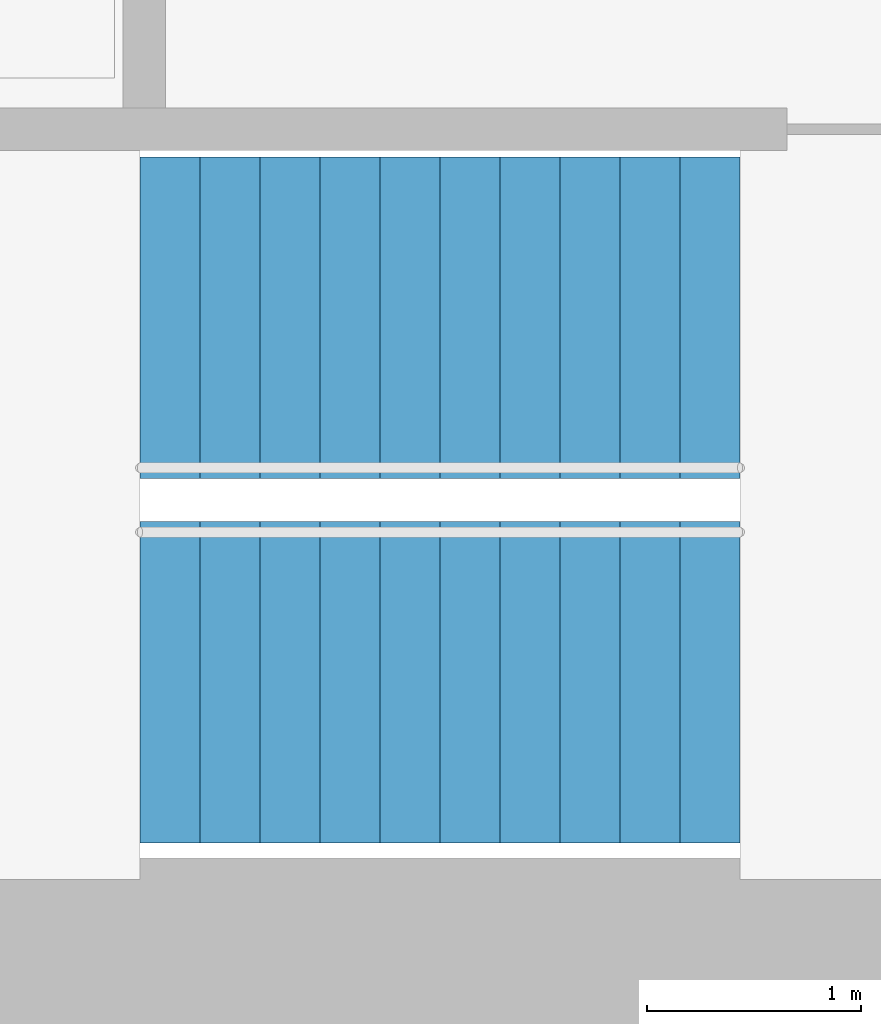
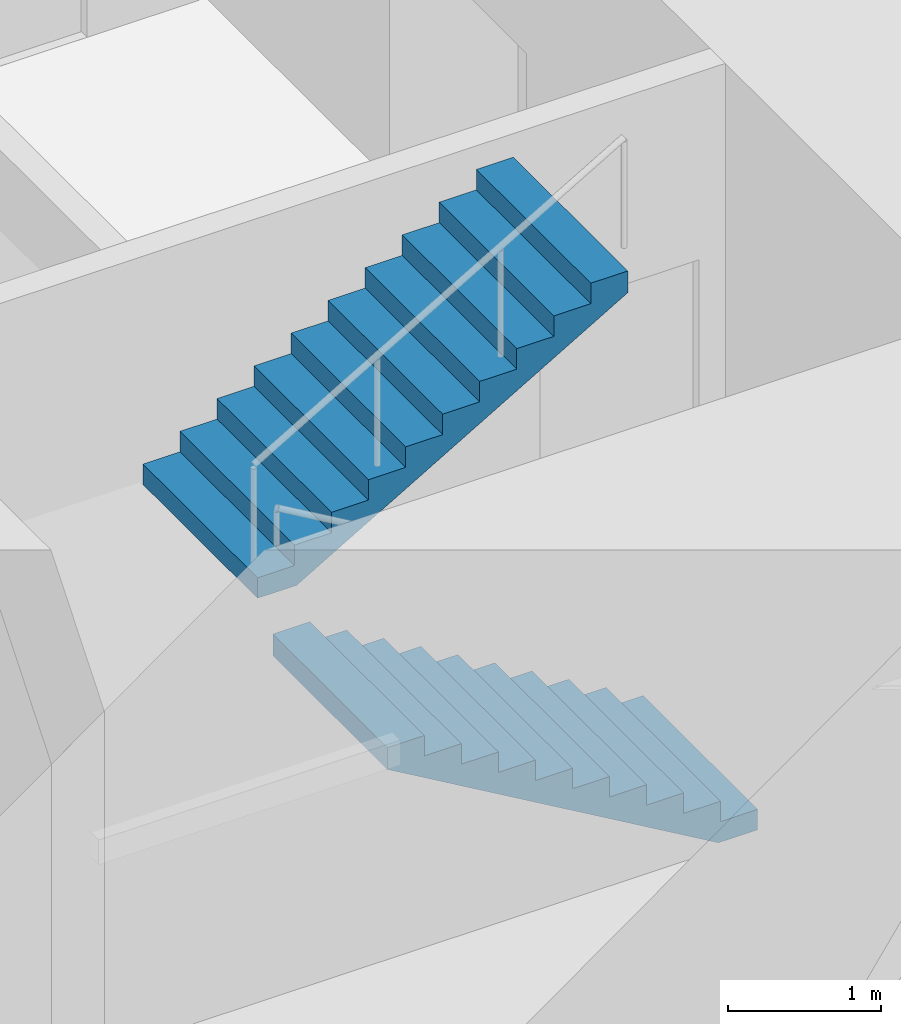
# One storey, part 14 of 15: 2 stair flights, 1 element without a shape of its own.
"""IFC4 building model written with IfcOpenShell, lengths in metres."""

from ifc_helpers import new_model, si_unit, direction, frame, origin, place, context, subcontext, project, spatial, triangles, material, type_object, element, aggregate, save


model = new_model("IFC4")

# Units and contexts
model_context = context("Model", 3, precision=1e-05, world=origin(), true_north=direction((0.0, 1.0)))
body_context = subcontext(model_context, "Body", "Model", "MODEL_VIEW")
ifc_project = project(units=[si_unit("LENGTHUNIT", "METRE"), si_unit("AREAUNIT", "SQUARE_METRE"), si_unit("VOLUMEUNIT", "CUBIC_METRE"), si_unit("PLANEANGLEUNIT", "RADIAN"), si_unit("MASSUNIT", "GRAM", prefix="KILO")], contexts=[model_context])

# Site, building, storey
site_placement = place(None, origin())
site = spatial("IfcSite", under=ifc_project, at=site_placement, CompositionType="ELEMENT")
building_placement = place(site_placement, origin())
building = spatial("IfcBuilding", under=site, at=building_placement, Name="Lantaw Convention Tower", CompositionType="ELEMENT")
storey_placement = place(building_placement, frame((0.0, 0.0, 55.0)))
storey = spatial("IfcBuildingStorey", under=building, at=storey_placement, Name="L11", CompositionType="ELEMENT", Elevation=55.0)

# Stair, stair flights
ifc_material = material(Name="Concrete C35/45", Category="concrete")
stair_type = type_object("IfcStairType", Name="Exit stair 1500 riser 163.64 in 2 flights", PredefinedType="HALF_TURN_STAIR", material=ifc_material)
stair_placement = place(storey_placement, origin())
stair = element("IfcStair", 1, at=stair_placement, inside=storey, type_object=stair_type, Name="Exit stair S2 L11", PredefinedType="HALF_TURN_STAIR")
stair_flight_type = type_object("IfcStairFlightType", Name="Stair flight 1500 riser 163.64", PredefinedType="STRAIGHT", material=ifc_material)
stair_flight_1_placement = place(storey_placement, frame((10.580078125, -5.97998046875, 0.0), z_axis=(0.0, 0.0, 1.0), x_axis=(-1.0, 0.0, 0.0)))
stair_flight_1 = element("IfcStairFlight", 2, at=stair_flight_1_placement, type_object=stair_flight_type, Name="S2 flight 1", NumberOfRisers=11, NumberOfTreads=10, PredefinedType="STRAIGHT", RiserHeight=0.163636364, TreadLength=0.28, context=body_context, shape_type="Tessellation", body=[
    triangles([(0.0, 0.75, 0.0), (0.0, 0.75, 0.163636364), (0.28, 0.75, 0.0), (0.28, 0.75, 0.163636364), (0.28, 0.75, 0.327272728), (0.2970904571225277, 0.75, 0.0), (0.2970904571225277, 0.75, 0.327272728), (0.56, 0.75, 0.1536484344906131), (0.56, 0.75, 0.327272728), (0.56, 0.75, 0.490909092), (0.8400000000000001, 0.75, 0.3172847984906131), (0.8400000000000001, 0.75, 0.490909092), (0.8400000000000001, 0.75, 0.654545456), (1.12, 0.75, 0.4809211624906131), (1.12, 0.75, 0.654545456), (1.12, 0.75, 0.8181818200000001), (1.4000000000000001, 0.75, 0.6445575264906132), (1.4000000000000001, 0.75, 0.8181818200000001), (1.4000000000000001, 0.75, 0.981818184), (1.6800000000000002, 0.75, 0.8081938904906131), (1.6800000000000002, 0.75, 0.981818184), (1.6800000000000002, 0.75, 1.145454548), (1.9600000000000002, 0.75, 0.9718302544906131), (1.9600000000000002, 0.75, 1.145454548), (1.9600000000000002, 0.75, 1.309090912), (2.24, 0.75, 1.135466618490613), (2.24, 0.75, 1.309090912), (2.24, 0.75, 1.472727276), (2.5200000000000005, 0.75, 1.2991029824906133), (2.5200000000000005, 0.75, 1.472727276), (2.5200000000000005, 0.75, 1.6363636400000001), (2.8000000000000003, 0.75, 1.462739346490613), (2.8000000000000003, 0.75, 1.6363636400000001), (0.0, -0.75, 0.0), (0.0, -0.75, 0.163636364), (0.28, -0.75, 0.0), (0.28, -0.75, 0.163636364), (0.28, -0.75, 0.327272728), (0.2970904571225277, -0.75, 0.0), (0.2970904571225277, -0.75, 0.327272728), (0.56, -0.75, 0.1536484344906131), (0.56, -0.75, 0.327272728), (0.56, -0.75, 0.490909092), (0.8400000000000001, -0.75, 0.3172847984906131), (0.8400000000000001, -0.75, 0.490909092), (0.8400000000000001, -0.75, 0.654545456), (1.12, -0.75, 0.4809211624906131), (1.12, -0.75, 0.654545456), (1.12, -0.75, 0.8181818200000001), (1.4000000000000001, -0.75, 0.6445575264906132), (1.4000000000000001, -0.75, 0.8181818200000001), (1.4000000000000001, -0.75, 0.981818184), (1.6800000000000002, -0.75, 0.8081938904906131), (1.6800000000000002, -0.75, 0.981818184), (1.6800000000000002, -0.75, 1.145454548), (1.9600000000000002, -0.75, 0.9718302544906131), (1.9600000000000002, -0.75, 1.145454548), (1.9600000000000002, -0.75, 1.309090912), (2.24, -0.75, 1.135466618490613), (2.24, -0.75, 1.309090912), (2.24, -0.75, 1.472727276), (2.5200000000000005, -0.75, 1.2991029824906133), (2.5200000000000005, -0.75, 1.472727276), (2.5200000000000005, -0.75, 1.6363636400000001), (2.8000000000000003, -0.75, 1.462739346490613), (2.8000000000000003, -0.75, 1.6363636400000001), (0.0, 0.15000000000000002, 0.163636364), (0.0, 0.15000000000000002, 0.0), (0.0, 0.0, 0.163636364), (0.0, 0.0, 0.0), (0.0, -0.15000000000000002, 0.163636364), (0.0, -0.15000000000000002, 0.0), (0.28, 0.15000000000000002, 0.327272728), (0.28, 0.15000000000000002, 0.163636364), (0.28, 0.0, 0.327272728), (0.28, 0.0, 0.163636364), (0.28, -0.15000000000000002, 0.327272728), (0.28, -0.15000000000000002, 0.163636364), (0.56, 0.15000000000000002, 0.490909092), (0.56, 0.15000000000000002, 0.327272728), (0.56, 0.0, 0.490909092), (0.56, 0.0, 0.327272728), (0.56, -0.15000000000000002, 0.490909092), (0.56, -0.15000000000000002, 0.327272728), (0.8400000000000001, 0.15000000000000002, 0.654545456), (0.8400000000000001, 0.15000000000000002, 0.490909092), (0.8400000000000001, 0.0, 0.654545456), (0.8400000000000001, 0.0, 0.490909092), (0.8400000000000001, -0.15000000000000002, 0.654545456), (0.8400000000000001, -0.15000000000000002, 0.490909092), (1.12, 0.15000000000000002, 0.8181818200000001), (1.12, 0.15000000000000002, 0.654545456), (1.12, 0.0, 0.8181818200000001), (1.12, 0.0, 0.654545456), (1.12, -0.15000000000000002, 0.8181818200000001), (1.12, -0.15000000000000002, 0.654545456), (1.4000000000000001, 0.15000000000000002, 0.981818184), (1.4000000000000001, 0.15000000000000002, 0.8181818200000001), (1.4000000000000001, 0.0, 0.981818184), (1.4000000000000001, 0.0, 0.8181818200000001), (1.4000000000000001, -0.15000000000000002, 0.981818184), (1.4000000000000001, -0.15000000000000002, 0.8181818200000001), (1.6800000000000002, 0.15000000000000002, 1.145454548), (1.6800000000000002, 0.15000000000000002, 0.981818184), (1.6800000000000002, 0.0, 1.145454548), (1.6800000000000002, 0.0, 0.981818184), (1.6800000000000002, -0.15000000000000002, 1.145454548), (1.6800000000000002, -0.15000000000000002, 0.981818184), (1.9600000000000002, 0.15000000000000002, 1.309090912), (1.9600000000000002, 0.15000000000000002, 1.145454548), (1.9600000000000002, 0.0, 1.309090912), (1.9600000000000002, 0.0, 1.145454548), (1.9600000000000002, -0.15000000000000002, 1.309090912), (1.9600000000000002, -0.15000000000000002, 1.145454548), (2.24, 0.15000000000000002, 1.472727276), (2.24, 0.15000000000000002, 1.309090912), (2.24, 0.0, 1.472727276), (2.24, 0.0, 1.309090912), (2.24, -0.15000000000000002, 1.472727276), (2.24, -0.15000000000000002, 1.309090912), (2.5200000000000005, 0.15000000000000002, 1.6363636400000001), (2.5200000000000005, 0.15000000000000002, 1.472727276), (2.5200000000000005, 0.0, 1.6363636400000001), (2.5200000000000005, 0.0, 1.472727276), (2.5200000000000005, -0.15000000000000002, 1.6363636400000001), (2.5200000000000005, -0.15000000000000002, 1.472727276), (0.2970904571225277, 0.15000000000000002, 0.327272728), (0.2970904571225277, 0.0, 0.327272728), (0.2970904571225277, -0.15000000000000002, 0.327272728), (2.8000000000000003, 0.15000000000000002, 1.6363636400000001), (2.8000000000000003, 0.0, 1.6363636400000001), (2.8000000000000003, -0.15000000000000002, 1.6363636400000001), (2.8000000000000003, 0.15000000000000002, 1.462739346490613), (2.8000000000000003, 0.0, 1.462739346490613), (2.8000000000000003, -0.15000000000000002, 1.462739346490613), (2.5200000000000005, 0.15000000000000002, 1.2991029824906133), (2.5200000000000005, 0.0, 1.2991029824906133), (2.5200000000000005, -0.15000000000000002, 1.2991029824906133), (2.24, 0.15000000000000002, 1.135466618490613), (2.24, 0.0, 1.135466618490613), (2.24, -0.15000000000000002, 1.135466618490613), (1.9600000000000002, 0.15000000000000002, 0.9718302544906131), (1.9600000000000002, 0.0, 0.9718302544906131), (1.9600000000000002, -0.15000000000000002, 0.9718302544906131), (1.6800000000000002, 0.15000000000000002, 0.8081938904906131), (1.6800000000000002, 0.0, 0.8081938904906131), (1.6800000000000002, -0.15000000000000002, 0.8081938904906131), (1.4000000000000001, 0.15000000000000002, 0.6445575264906132), (1.4000000000000001, 0.0, 0.6445575264906132), (1.4000000000000001, -0.15000000000000002, 0.6445575264906132), (1.12, 0.15000000000000002, 0.4809211624906131), (1.12, 0.0, 0.4809211624906131), (1.12, -0.15000000000000002, 0.4809211624906131), (0.8400000000000001, 0.15000000000000002, 0.3172847984906131), (0.8400000000000001, 0.0, 0.3172847984906131), (0.8400000000000001, -0.15000000000000002, 0.3172847984906131), (0.56, 0.15000000000000002, 0.1536484344906131), (0.56, 0.0, 0.1536484344906131), (0.56, -0.15000000000000002, 0.1536484344906131), (0.2970904571225277, 0.15000000000000002, 0.0), (0.2970904571225277, 0.0, 0.0), (0.2970904571225277, -0.15000000000000002, 0.0), (0.28, 0.15000000000000002, 0.0), (0.28, 0.0, 0.0), (0.28, -0.15000000000000002, 0.0)], [[1, 4, 3], [1, 2, 4], [3, 4, 6], [4, 7, 6], [4, 5, 7], [6, 9, 8], [6, 7, 9], [8, 9, 11], [9, 12, 11], [9, 10, 12], [11, 12, 14], [12, 15, 14], [12, 13, 15], [14, 15, 17], [15, 18, 17], [15, 16, 18], [17, 18, 20], [18, 21, 20], [18, 19, 21], [20, 21, 23], [21, 24, 23], [21, 22, 24], [23, 24, 26], [24, 27, 26], [24, 25, 27], [26, 27, 29], [27, 30, 29], [27, 28, 30], [29, 30, 32], [30, 33, 32], [30, 31, 33], [34, 36, 37], [34, 37, 35], [36, 39, 37], [37, 39, 40], [37, 40, 38], [39, 41, 42], [39, 42, 40], [41, 44, 42], [42, 44, 45], [42, 45, 43], [44, 47, 45], [45, 47, 48], [45, 48, 46], [47, 50, 48], [48, 50, 51], [48, 51, 49], [50, 53, 51], [51, 53, 54], [51, 54, 52], [53, 56, 54], [54, 56, 57], [54, 57, 55], [56, 59, 57], [57, 59, 60], [57, 60, 58], [59, 62, 60], [60, 62, 63], [60, 63, 61], [62, 65, 63], [63, 65, 66], [63, 66, 64], [1, 67, 2], [1, 68, 67], [68, 69, 67], [68, 70, 69], [70, 71, 69], [70, 72, 71], [72, 35, 71], [72, 34, 35], [4, 73, 5], [4, 74, 73], [74, 75, 73], [74, 76, 75], [76, 77, 75], [76, 78, 77], [78, 38, 77], [78, 37, 38], [9, 79, 10], [9, 80, 79], [80, 81, 79], [80, 82, 81], [82, 83, 81], [82, 84, 83], [84, 43, 83], [84, 42, 43], [12, 85, 13], [12, 86, 85], [86, 87, 85], [86, 88, 87], [88, 89, 87], [88, 90, 89], [90, 46, 89], [90, 45, 46], [15, 91, 16], [15, 92, 91], [92, 93, 91], [92, 94, 93], [94, 95, 93], [94, 96, 95], [96, 49, 95], [96, 48, 49], [18, 97, 19], [18, 98, 97], [98, 99, 97], [98, 100, 99], [100, 101, 99], [100, 102, 101], [102, 52, 101], [102, 51, 52], [21, 103, 22], [21, 104, 103], [104, 105, 103], [104, 106, 105], [106, 107, 105], [106, 108, 107], [108, 55, 107], [108, 54, 55], [24, 109, 25], [24, 110, 109], [110, 111, 109], [110, 112, 111], [112, 113, 111], [112, 114, 113], [114, 58, 113], [114, 57, 58], [27, 115, 28], [27, 116, 115], [116, 117, 115], [116, 118, 117], [118, 119, 117], [118, 120, 119], [120, 61, 119], [120, 60, 61], [30, 121, 31], [30, 122, 121], [122, 123, 121], [122, 124, 123], [124, 125, 123], [124, 126, 125], [126, 64, 125], [126, 63, 64], [2, 74, 4], [2, 67, 74], [67, 76, 74], [67, 69, 76], [69, 78, 76], [69, 71, 78], [71, 37, 78], [71, 35, 37], [5, 127, 7], [5, 73, 127], [73, 128, 127], [73, 75, 128], [75, 129, 128], [75, 77, 129], [77, 40, 129], [77, 38, 40], [7, 80, 9], [7, 127, 80], [127, 82, 80], [127, 128, 82], [128, 84, 82], [128, 129, 84], [129, 42, 84], [129, 40, 42], [10, 86, 12], [10, 79, 86], [79, 88, 86], [79, 81, 88], [81, 90, 88], [81, 83, 90], [83, 45, 90], [83, 43, 45], [13, 92, 15], [13, 85, 92], [85, 94, 92], [85, 87, 94], [87, 96, 94], [87, 89, 96], [89, 48, 96], [89, 46, 48], [16, 98, 18], [16, 91, 98], [91, 100, 98], [91, 93, 100], [93, 102, 100], [93, 95, 102], [95, 51, 102], [95, 49, 51], [19, 104, 21], [19, 97, 104], [97, 106, 104], [97, 99, 106], [99, 108, 106], [99, 101, 108], [101, 54, 108], [101, 52, 54], [22, 110, 24], [22, 103, 110], [103, 112, 110], [103, 105, 112], [105, 114, 112], [105, 107, 114], [107, 57, 114], [107, 55, 57], [25, 116, 27], [25, 109, 116], [109, 118, 116], [109, 111, 118], [111, 120, 118], [111, 113, 120], [113, 60, 120], [113, 58, 60], [28, 122, 30], [28, 115, 122], [115, 124, 122], [115, 117, 124], [117, 126, 124], [117, 119, 126], [119, 63, 126], [119, 61, 63], [31, 130, 33], [31, 121, 130], [121, 131, 130], [121, 123, 131], [123, 132, 131], [123, 125, 132], [125, 66, 132], [125, 64, 66], [33, 133, 32], [33, 130, 133], [130, 134, 133], [130, 131, 134], [131, 135, 134], [131, 132, 135], [132, 65, 135], [132, 66, 65], [32, 136, 29], [32, 133, 136], [133, 137, 136], [133, 134, 137], [134, 138, 137], [134, 135, 138], [135, 62, 138], [135, 65, 62], [29, 139, 26], [29, 136, 139], [136, 140, 139], [136, 137, 140], [137, 141, 140], [137, 138, 141], [138, 59, 141], [138, 62, 59], [26, 142, 23], [26, 139, 142], [139, 143, 142], [139, 140, 143], [140, 144, 143], [140, 141, 144], [141, 56, 144], [141, 59, 56], [23, 145, 20], [23, 142, 145], [142, 146, 145], [142, 143, 146], [143, 147, 146], [143, 144, 147], [144, 53, 147], [144, 56, 53], [20, 148, 17], [20, 145, 148], [145, 149, 148], [145, 146, 149], [146, 150, 149], [146, 147, 150], [147, 50, 150], [147, 53, 50], [17, 151, 14], [17, 148, 151], [148, 152, 151], [148, 149, 152], [149, 153, 152], [149, 150, 153], [150, 47, 153], [150, 50, 47], [14, 154, 11], [14, 151, 154], [151, 155, 154], [151, 152, 155], [152, 156, 155], [152, 153, 156], [153, 44, 156], [153, 47, 44], [11, 157, 8], [11, 154, 157], [154, 158, 157], [154, 155, 158], [155, 159, 158], [155, 156, 159], [156, 41, 159], [156, 44, 41], [8, 160, 6], [8, 157, 160], [157, 161, 160], [157, 158, 161], [158, 162, 161], [158, 159, 162], [159, 39, 162], [159, 41, 39], [6, 163, 3], [6, 160, 163], [160, 164, 163], [160, 161, 164], [161, 165, 164], [161, 162, 165], [162, 36, 165], [162, 39, 36], [3, 68, 1], [3, 163, 68], [163, 70, 68], [163, 164, 70], [164, 72, 70], [164, 165, 72], [165, 34, 72], [165, 36, 34]], closed=True),
])
stair_flight_2_placement = place(storey_placement, frame((7.780029296875, -4.280029296875, 1.800048828125), z_axis=(0.0, 0.0, 1.0), x_axis=(1.0, 0.0, 0.0)))
stair_flight_2 = element("IfcStairFlight", 3, at=stair_flight_2_placement, type_object=stair_flight_type, Name="S2 flight 2", NumberOfRisers=11, NumberOfTreads=10, PredefinedType="STRAIGHT", RiserHeight=0.163636364, TreadLength=0.28, context=body_context, shape_type="Tessellation", body=[
    triangles([(0.0, 0.75, 0.0), (0.0, 0.75, 0.163636364), (0.28, 0.75, 0.0), (0.28, 0.75, 0.163636364), (0.28, 0.75, 0.327272728), (0.2970904571225277, 0.75, 0.0), (0.2970904571225277, 0.75, 0.327272728), (0.56, 0.75, 0.1536484344906131), (0.56, 0.75, 0.327272728), (0.56, 0.75, 0.490909092), (0.8400000000000001, 0.75, 0.3172847984906131), (0.8400000000000001, 0.75, 0.490909092), (0.8400000000000001, 0.75, 0.654545456), (1.12, 0.75, 0.4809211624906131), (1.12, 0.75, 0.654545456), (1.12, 0.75, 0.8181818200000001), (1.4000000000000001, 0.75, 0.6445575264906132), (1.4000000000000001, 0.75, 0.8181818200000001), (1.4000000000000001, 0.75, 0.981818184), (1.6800000000000002, 0.75, 0.8081938904906131), (1.6800000000000002, 0.75, 0.981818184), (1.6800000000000002, 0.75, 1.145454548), (1.9600000000000002, 0.75, 0.9718302544906131), (1.9600000000000002, 0.75, 1.145454548), (1.9600000000000002, 0.75, 1.309090912), (2.24, 0.75, 1.135466618490613), (2.24, 0.75, 1.309090912), (2.24, 0.75, 1.472727276), (2.5200000000000005, 0.75, 1.2991029824906133), (2.5200000000000005, 0.75, 1.472727276), (2.5200000000000005, 0.75, 1.6363636400000001), (2.8000000000000003, 0.75, 1.462739346490613), (2.8000000000000003, 0.75, 1.6363636400000001), (0.0, -0.75, 0.0), (0.0, -0.75, 0.163636364), (0.28, -0.75, 0.0), (0.28, -0.75, 0.163636364), (0.28, -0.75, 0.327272728), (0.2970904571225277, -0.75, 0.0), (0.2970904571225277, -0.75, 0.327272728), (0.56, -0.75, 0.1536484344906131), (0.56, -0.75, 0.327272728), (0.56, -0.75, 0.490909092), (0.8400000000000001, -0.75, 0.3172847984906131), (0.8400000000000001, -0.75, 0.490909092), (0.8400000000000001, -0.75, 0.654545456), (1.12, -0.75, 0.4809211624906131), (1.12, -0.75, 0.654545456), (1.12, -0.75, 0.8181818200000001), (1.4000000000000001, -0.75, 0.6445575264906132), (1.4000000000000001, -0.75, 0.8181818200000001), (1.4000000000000001, -0.75, 0.981818184), (1.6800000000000002, -0.75, 0.8081938904906131), (1.6800000000000002, -0.75, 0.981818184), (1.6800000000000002, -0.75, 1.145454548), (1.9600000000000002, -0.75, 0.9718302544906131), (1.9600000000000002, -0.75, 1.145454548), (1.9600000000000002, -0.75, 1.309090912), (2.24, -0.75, 1.135466618490613), (2.24, -0.75, 1.309090912), (2.24, -0.75, 1.472727276), (2.5200000000000005, -0.75, 1.2991029824906133), (2.5200000000000005, -0.75, 1.472727276), (2.5200000000000005, -0.75, 1.6363636400000001), (2.8000000000000003, -0.75, 1.462739346490613), (2.8000000000000003, -0.75, 1.6363636400000001), (0.0, 0.15000000000000002, 0.163636364), (0.0, 0.15000000000000002, 0.0), (0.0, 0.0, 0.163636364), (0.0, 0.0, 0.0), (0.0, -0.15000000000000002, 0.163636364), (0.0, -0.15000000000000002, 0.0), (0.28, 0.15000000000000002, 0.327272728), (0.28, 0.15000000000000002, 0.163636364), (0.28, 0.0, 0.327272728), (0.28, 0.0, 0.163636364), (0.28, -0.15000000000000002, 0.327272728), (0.28, -0.15000000000000002, 0.163636364), (0.56, 0.15000000000000002, 0.490909092), (0.56, 0.15000000000000002, 0.327272728), (0.56, 0.0, 0.490909092), (0.56, 0.0, 0.327272728), (0.56, -0.15000000000000002, 0.490909092), (0.56, -0.15000000000000002, 0.327272728), (0.8400000000000001, 0.15000000000000002, 0.654545456), (0.8400000000000001, 0.15000000000000002, 0.490909092), (0.8400000000000001, 0.0, 0.654545456), (0.8400000000000001, 0.0, 0.490909092), (0.8400000000000001, -0.15000000000000002, 0.654545456), (0.8400000000000001, -0.15000000000000002, 0.490909092), (1.12, 0.15000000000000002, 0.8181818200000001), (1.12, 0.15000000000000002, 0.654545456), (1.12, 0.0, 0.8181818200000001), (1.12, 0.0, 0.654545456), (1.12, -0.15000000000000002, 0.8181818200000001), (1.12, -0.15000000000000002, 0.654545456), (1.4000000000000001, 0.15000000000000002, 0.981818184), (1.4000000000000001, 0.15000000000000002, 0.8181818200000001), (1.4000000000000001, 0.0, 0.981818184), (1.4000000000000001, 0.0, 0.8181818200000001), (1.4000000000000001, -0.15000000000000002, 0.981818184), (1.4000000000000001, -0.15000000000000002, 0.8181818200000001), (1.6800000000000002, 0.15000000000000002, 1.145454548), (1.6800000000000002, 0.15000000000000002, 0.981818184), (1.6800000000000002, 0.0, 1.145454548), (1.6800000000000002, 0.0, 0.981818184), (1.6800000000000002, -0.15000000000000002, 1.145454548), (1.6800000000000002, -0.15000000000000002, 0.981818184), (1.9600000000000002, 0.15000000000000002, 1.309090912), (1.9600000000000002, 0.15000000000000002, 1.145454548), (1.9600000000000002, 0.0, 1.309090912), (1.9600000000000002, 0.0, 1.145454548), (1.9600000000000002, -0.15000000000000002, 1.309090912), (1.9600000000000002, -0.15000000000000002, 1.145454548), (2.24, 0.15000000000000002, 1.472727276), (2.24, 0.15000000000000002, 1.309090912), (2.24, 0.0, 1.472727276), (2.24, 0.0, 1.309090912), (2.24, -0.15000000000000002, 1.472727276), (2.24, -0.15000000000000002, 1.309090912), (2.5200000000000005, 0.15000000000000002, 1.6363636400000001), (2.5200000000000005, 0.15000000000000002, 1.472727276), (2.5200000000000005, 0.0, 1.6363636400000001), (2.5200000000000005, 0.0, 1.472727276), (2.5200000000000005, -0.15000000000000002, 1.6363636400000001), (2.5200000000000005, -0.15000000000000002, 1.472727276), (0.2970904571225277, 0.15000000000000002, 0.327272728), (0.2970904571225277, 0.0, 0.327272728), (0.2970904571225277, -0.15000000000000002, 0.327272728), (2.8000000000000003, 0.15000000000000002, 1.6363636400000001), (2.8000000000000003, 0.0, 1.6363636400000001), (2.8000000000000003, -0.15000000000000002, 1.6363636400000001), (2.8000000000000003, 0.15000000000000002, 1.462739346490613), (2.8000000000000003, 0.0, 1.462739346490613), (2.8000000000000003, -0.15000000000000002, 1.462739346490613), (2.5200000000000005, 0.15000000000000002, 1.2991029824906133), (2.5200000000000005, 0.0, 1.2991029824906133), (2.5200000000000005, -0.15000000000000002, 1.2991029824906133), (2.24, 0.15000000000000002, 1.135466618490613), (2.24, 0.0, 1.135466618490613), (2.24, -0.15000000000000002, 1.135466618490613), (1.9600000000000002, 0.15000000000000002, 0.9718302544906131), (1.9600000000000002, 0.0, 0.9718302544906131), (1.9600000000000002, -0.15000000000000002, 0.9718302544906131), (1.6800000000000002, 0.15000000000000002, 0.8081938904906131), (1.6800000000000002, 0.0, 0.8081938904906131), (1.6800000000000002, -0.15000000000000002, 0.8081938904906131), (1.4000000000000001, 0.15000000000000002, 0.6445575264906132), (1.4000000000000001, 0.0, 0.6445575264906132), (1.4000000000000001, -0.15000000000000002, 0.6445575264906132), (1.12, 0.15000000000000002, 0.4809211624906131), (1.12, 0.0, 0.4809211624906131), (1.12, -0.15000000000000002, 0.4809211624906131), (0.8400000000000001, 0.15000000000000002, 0.3172847984906131), (0.8400000000000001, 0.0, 0.3172847984906131), (0.8400000000000001, -0.15000000000000002, 0.3172847984906131), (0.56, 0.15000000000000002, 0.1536484344906131), (0.56, 0.0, 0.1536484344906131), (0.56, -0.15000000000000002, 0.1536484344906131), (0.2970904571225277, 0.15000000000000002, 0.0), (0.2970904571225277, 0.0, 0.0), (0.2970904571225277, -0.15000000000000002, 0.0), (0.28, 0.15000000000000002, 0.0), (0.28, 0.0, 0.0), (0.28, -0.15000000000000002, 0.0)], [[1, 4, 3], [1, 2, 4], [3, 4, 6], [4, 7, 6], [4, 5, 7], [6, 9, 8], [6, 7, 9], [8, 9, 11], [9, 12, 11], [9, 10, 12], [11, 12, 14], [12, 15, 14], [12, 13, 15], [14, 15, 17], [15, 18, 17], [15, 16, 18], [17, 18, 20], [18, 21, 20], [18, 19, 21], [20, 21, 23], [21, 24, 23], [21, 22, 24], [23, 24, 26], [24, 27, 26], [24, 25, 27], [26, 27, 29], [27, 30, 29], [27, 28, 30], [29, 30, 32], [30, 33, 32], [30, 31, 33], [34, 36, 37], [34, 37, 35], [36, 39, 37], [37, 39, 40], [37, 40, 38], [39, 41, 42], [39, 42, 40], [41, 44, 42], [42, 44, 45], [42, 45, 43], [44, 47, 45], [45, 47, 48], [45, 48, 46], [47, 50, 48], [48, 50, 51], [48, 51, 49], [50, 53, 51], [51, 53, 54], [51, 54, 52], [53, 56, 54], [54, 56, 57], [54, 57, 55], [56, 59, 57], [57, 59, 60], [57, 60, 58], [59, 62, 60], [60, 62, 63], [60, 63, 61], [62, 65, 63], [63, 65, 66], [63, 66, 64], [1, 67, 2], [1, 68, 67], [68, 69, 67], [68, 70, 69], [70, 71, 69], [70, 72, 71], [72, 35, 71], [72, 34, 35], [4, 73, 5], [4, 74, 73], [74, 75, 73], [74, 76, 75], [76, 77, 75], [76, 78, 77], [78, 38, 77], [78, 37, 38], [9, 79, 10], [9, 80, 79], [80, 81, 79], [80, 82, 81], [82, 83, 81], [82, 84, 83], [84, 43, 83], [84, 42, 43], [12, 85, 13], [12, 86, 85], [86, 87, 85], [86, 88, 87], [88, 89, 87], [88, 90, 89], [90, 46, 89], [90, 45, 46], [15, 91, 16], [15, 92, 91], [92, 93, 91], [92, 94, 93], [94, 95, 93], [94, 96, 95], [96, 49, 95], [96, 48, 49], [18, 97, 19], [18, 98, 97], [98, 99, 97], [98, 100, 99], [100, 101, 99], [100, 102, 101], [102, 52, 101], [102, 51, 52], [21, 103, 22], [21, 104, 103], [104, 105, 103], [104, 106, 105], [106, 107, 105], [106, 108, 107], [108, 55, 107], [108, 54, 55], [24, 109, 25], [24, 110, 109], [110, 111, 109], [110, 112, 111], [112, 113, 111], [112, 114, 113], [114, 58, 113], [114, 57, 58], [27, 115, 28], [27, 116, 115], [116, 117, 115], [116, 118, 117], [118, 119, 117], [118, 120, 119], [120, 61, 119], [120, 60, 61], [30, 121, 31], [30, 122, 121], [122, 123, 121], [122, 124, 123], [124, 125, 123], [124, 126, 125], [126, 64, 125], [126, 63, 64], [2, 74, 4], [2, 67, 74], [67, 76, 74], [67, 69, 76], [69, 78, 76], [69, 71, 78], [71, 37, 78], [71, 35, 37], [5, 127, 7], [5, 73, 127], [73, 128, 127], [73, 75, 128], [75, 129, 128], [75, 77, 129], [77, 40, 129], [77, 38, 40], [7, 80, 9], [7, 127, 80], [127, 82, 80], [127, 128, 82], [128, 84, 82], [128, 129, 84], [129, 42, 84], [129, 40, 42], [10, 86, 12], [10, 79, 86], [79, 88, 86], [79, 81, 88], [81, 90, 88], [81, 83, 90], [83, 45, 90], [83, 43, 45], [13, 92, 15], [13, 85, 92], [85, 94, 92], [85, 87, 94], [87, 96, 94], [87, 89, 96], [89, 48, 96], [89, 46, 48], [16, 98, 18], [16, 91, 98], [91, 100, 98], [91, 93, 100], [93, 102, 100], [93, 95, 102], [95, 51, 102], [95, 49, 51], [19, 104, 21], [19, 97, 104], [97, 106, 104], [97, 99, 106], [99, 108, 106], [99, 101, 108], [101, 54, 108], [101, 52, 54], [22, 110, 24], [22, 103, 110], [103, 112, 110], [103, 105, 112], [105, 114, 112], [105, 107, 114], [107, 57, 114], [107, 55, 57], [25, 116, 27], [25, 109, 116], [109, 118, 116], [109, 111, 118], [111, 120, 118], [111, 113, 120], [113, 60, 120], [113, 58, 60], [28, 122, 30], [28, 115, 122], [115, 124, 122], [115, 117, 124], [117, 126, 124], [117, 119, 126], [119, 63, 126], [119, 61, 63], [31, 130, 33], [31, 121, 130], [121, 131, 130], [121, 123, 131], [123, 132, 131], [123, 125, 132], [125, 66, 132], [125, 64, 66], [33, 133, 32], [33, 130, 133], [130, 134, 133], [130, 131, 134], [131, 135, 134], [131, 132, 135], [132, 65, 135], [132, 66, 65], [32, 136, 29], [32, 133, 136], [133, 137, 136], [133, 134, 137], [134, 138, 137], [134, 135, 138], [135, 62, 138], [135, 65, 62], [29, 139, 26], [29, 136, 139], [136, 140, 139], [136, 137, 140], [137, 141, 140], [137, 138, 141], [138, 59, 141], [138, 62, 59], [26, 142, 23], [26, 139, 142], [139, 143, 142], [139, 140, 143], [140, 144, 143], [140, 141, 144], [141, 56, 144], [141, 59, 56], [23, 145, 20], [23, 142, 145], [142, 146, 145], [142, 143, 146], [143, 147, 146], [143, 144, 147], [144, 53, 147], [144, 56, 53], [20, 148, 17], [20, 145, 148], [145, 149, 148], [145, 146, 149], [146, 150, 149], [146, 147, 150], [147, 50, 150], [147, 53, 50], [17, 151, 14], [17, 148, 151], [148, 152, 151], [148, 149, 152], [149, 153, 152], [149, 150, 153], [150, 47, 153], [150, 50, 47], [14, 154, 11], [14, 151, 154], [151, 155, 154], [151, 152, 155], [152, 156, 155], [152, 153, 156], [153, 44, 156], [153, 47, 44], [11, 157, 8], [11, 154, 157], [154, 158, 157], [154, 155, 158], [155, 159, 158], [155, 156, 159], [156, 41, 159], [156, 44, 41], [8, 160, 6], [8, 157, 160], [157, 161, 160], [157, 158, 161], [158, 162, 161], [158, 159, 162], [159, 39, 162], [159, 41, 39], [6, 163, 3], [6, 160, 163], [160, 164, 163], [160, 161, 164], [161, 165, 164], [161, 162, 165], [162, 36, 165], [162, 39, 36], [3, 68, 1], [3, 163, 68], [163, 70, 68], [163, 164, 70], [164, 72, 70], [164, 165, 72], [165, 34, 72], [165, 36, 34]], closed=True),
])
aggregate(stair, [stair_flight_1, stair_flight_2])

save(model, "model.ifc")
